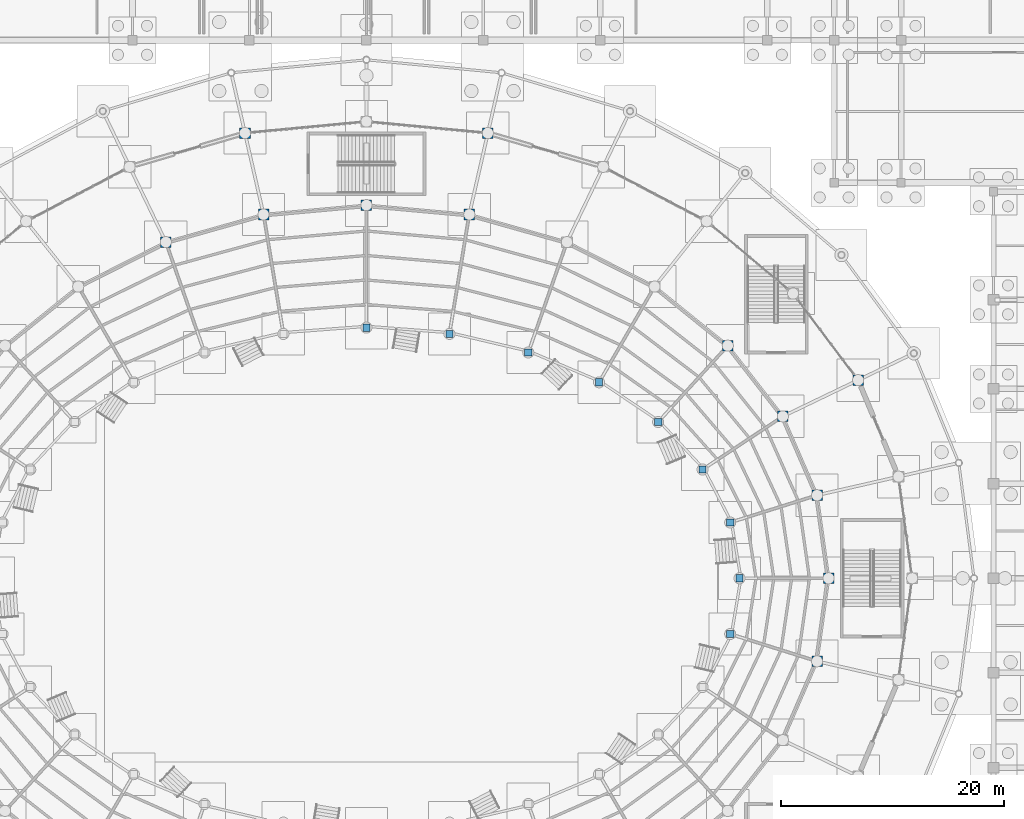
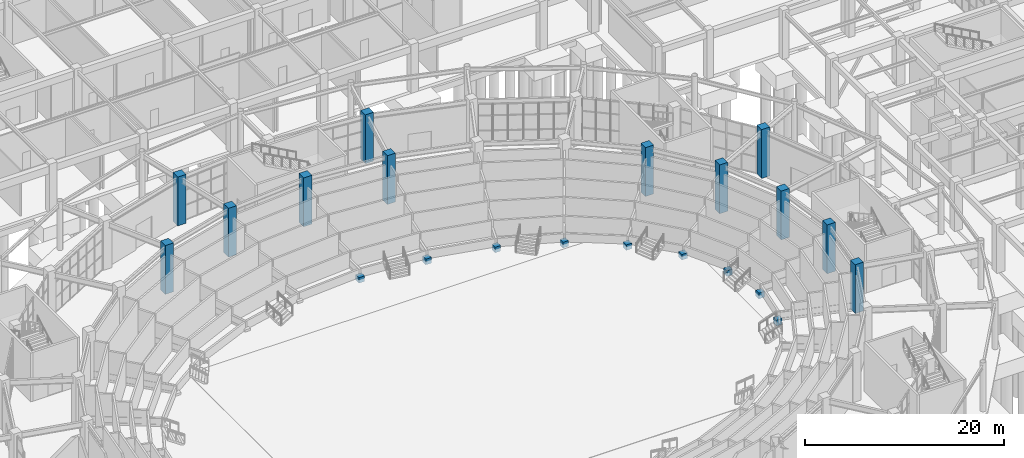
# One storey, part 16 of 121: 21 columns.
"""IFC4 building model written with IfcOpenShell, lengths in metres."""

from ifc_helpers import new_model, si_unit, direction, frame, origin, origin_2d, place, context, subcontext, project, spatial, rectangle, extrude, material, material_profile, profile_set, type_object, element, save


model = new_model("IFC4")

# Units and contexts
model_context = context("Model", 3, precision=1e-05, world=origin(), true_north=direction((0.0, 1.0)))
body_context = subcontext(model_context, "Body", "Model", "MODEL_VIEW")
ifc_project = project(units=[si_unit("LENGTHUNIT", "METRE"), si_unit("AREAUNIT", "SQUARE_METRE"), si_unit("VOLUMEUNIT", "CUBIC_METRE"), si_unit("PLANEANGLEUNIT", "RADIAN"), si_unit("MASSUNIT", "GRAM", prefix="KILO")], contexts=[model_context])

# Site, building, storey
site_placement = place(None, origin())
site = spatial("IfcSite", under=ifc_project, at=site_placement, CompositionType="ELEMENT")
building_placement = place(site_placement, origin())
building = spatial("IfcBuilding", under=site, at=building_placement, Name="Cuetzalor Civic Arena", CompositionType="ELEMENT")
storey_placement = place(building_placement, origin())
storey = spatial("IfcBuildingStorey", under=building, at=storey_placement, Name="L00", CompositionType="ELEMENT", Elevation=0.0)

# Columns
ifc_material_1 = material(Name="Concrete C40/50", Category="concrete")
ifc_material_profile_1 = material_profile(ifc_material_1, rectangle(XDim=0.64990234375, YDim=0.64990234375, at=origin_2d()), Name="RC 650x650")
ifc_profile_set_1 = profile_set([ifc_material_profile_1], Name="Concrete C40/50")
column_type_1 = type_object("IfcColumnType", Name="ConcreteColumn_650", PredefinedType="COLUMN", material=ifc_profile_set_1)
for number, where, z_axis, x_axis, name in (
    (1, (33.5, 0.0, -0.419921875), (0.0, 0.0, 1.0), (1.0, 0.0, 0.0), "Column V1-INR-01 L00"),
    (2, (32.66015625, 5.006591796875, -0.419921875), (0.0, 0.0, 1.0), (1.0, 0.0, 0.0), "Column V1-INR-02 L00"),
    (3, (30.1826171875, 9.762451171875, -0.419921875), (0.0, 0.0, 1.0), (1.0, 0.0, 0.0), "Column V1-INR-03 L00"),
    (4, (26.19140625, 14.028564453125, -0.419921875), (0.0, 0.0, 1.0), (1.0, 0.0, 0.0), "Column V1-INR-04 L00"),
    (5, (20.886962890625, 17.59130859375, -0.419921875), (0.0, 0.0, 1.0), (1.0, 0.0, 0.0), "Column V1-INR-05 L00"),
    (6, (14.53515625, 20.271728515625, -0.419921875), (0.0, 0.0, 1.0), (1.0, 0.0, 0.0), "Column V1-INR-06 L00"),
    (7, (7.45458984375, 21.935791015625, -0.419921875), (0.0, 0.0, 1.0), (1.0, 0.0, 0.0), "Column V1-INR-07 L00"),
    (8, (0.0, 22.5, -0.419921875), (0.0, 0.0, 1.0), (1.0, 0.0, 0.0), "Column V1-INR-08 L00"),
    (9, (32.66015625, -5.006591796875, -0.419921875), (0.0, 0.0, 1.0), (1.0, 0.0, 0.0), "Column V1-INR-28 L00"),
):
    element("IfcColumn", number, at=place(storey_placement, frame(where, z_axis=z_axis, x_axis=x_axis)), inside=storey, type_object=column_type_1, Name=name, PredefinedType="COLUMN", context=body_context, shape_type="SweptSolid", body=[
        extrude(rectangle(XDim=0.64990234375, YDim=0.64990234375, at=origin_2d()), origin(), (0.0, 0.0, 1.0), 0.68701171875),
    ])
ifc_material_2 = material(Name="Concrete C40/50", Category="concrete")
ifc_material_profile_2 = material_profile(ifc_material_2, rectangle(XDim=0.949951171875, YDim=0.949951171875, at=origin_2d()), Name="RC 950x950")
ifc_profile_set_2 = profile_set([ifc_material_profile_2], Name="Concrete C40/50")
column_type_2 = type_object("IfcColumnType", Name="ConcreteColumn_950", PredefinedType="COLUMN", material=ifc_profile_set_2)
for number, where, z_axis, x_axis, name in (
    (10, (41.5, 0.0, 0.0), (0.0, 0.0, 1.0), (1.0, 0.0, 0.0), "Column V1-MID-01 L00"),
    (11, (40.45947265625, 7.45458984375, 0.0), (0.0, 0.0, 1.0), (1.0, 0.0, 0.0), "Column V1-MID-02 L00"),
    (12, (44.1474609375, 17.789306640625, 0.0), (0.0, 0.0, 1.0), (1.0, 0.0, 0.0), "Column V1-REC-03 L00"),
    (13, (37.39013671875, 14.53515625, 0.0), (0.0, 0.0, 1.0), (1.0, 0.0, 0.0), "Column V1-MID-03 L00"),
    (14, (32.446044921875, 20.886962890625, 0.0), (0.0, 0.0, 1.0), (1.0, 0.0, 0.0), "Column V1-MID-04 L00"),
    (15, (10.903564453125, 39.971923828125, 0.0), (0.0, 0.0, 1.0), (1.0, 0.0, 0.0), "Column V1-REC-07 L00"),
    (16, (9.234619140625, 32.66015625, 0.0), (0.0, 0.0, 1.0), (1.0, 0.0, 0.0), "Column V1-MID-07 L00"),
    (17, (0.0, 33.5, 0.0), (0.0, 0.0, 1.0), (1.0, 0.0, 0.0), "Column V1-MID-08 L00"),
    (18, (-10.903564453125, 39.971923828125, 0.0), (0.0, 0.0, 1.0), (1.0, 0.0, 0.0), "Column V1-REC-09 L00"),
    (19, (-9.234619140625, 32.66015625, 0.0), (0.0, 0.0, 1.0), (1.0, 0.0, 0.0), "Column V1-MID-09 L00"),
    (20, (-18.006103515625, 30.1826171875, 0.0), (0.0, 0.0, 1.0), (1.0, 0.0, 0.0), "Column V1-MID-10 L00"),
    (21, (40.45947265625, -7.45458984375, 0.0), (0.0, 0.0, 1.0), (1.0, 0.0, 0.0), "Column V1-MID-28 L00"),
):
    element("IfcColumn", number, at=place(storey_placement, frame(where, z_axis=z_axis, x_axis=x_axis)), inside=storey, type_object=column_type_2, Name=name, PredefinedType="COLUMN", context=body_context, shape_type="SweptSolid", body=[
        extrude(rectangle(XDim=0.949951171875, YDim=0.949951171875, at=origin_2d()), origin(), (0.0, 0.0, 1.0), 6.0),
    ])

save(model, "model.ifc")
